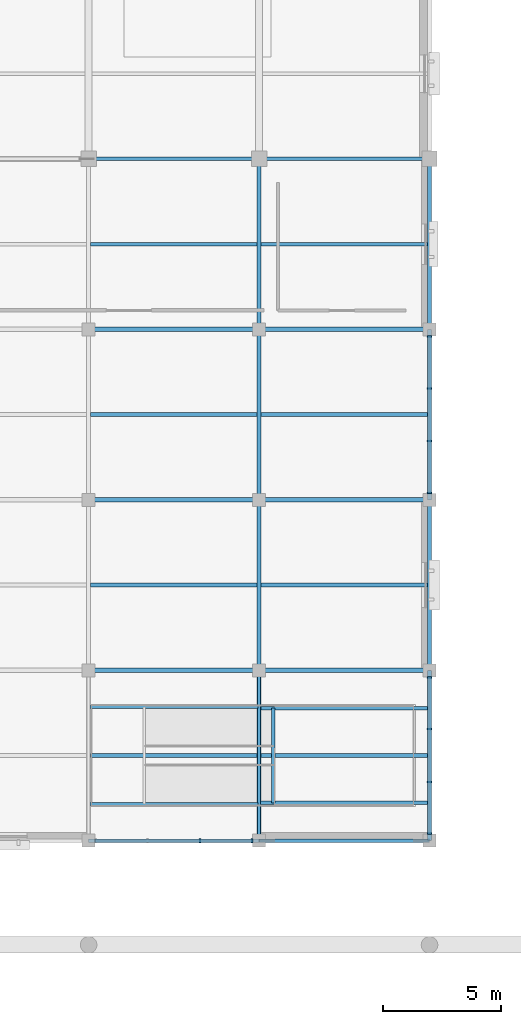
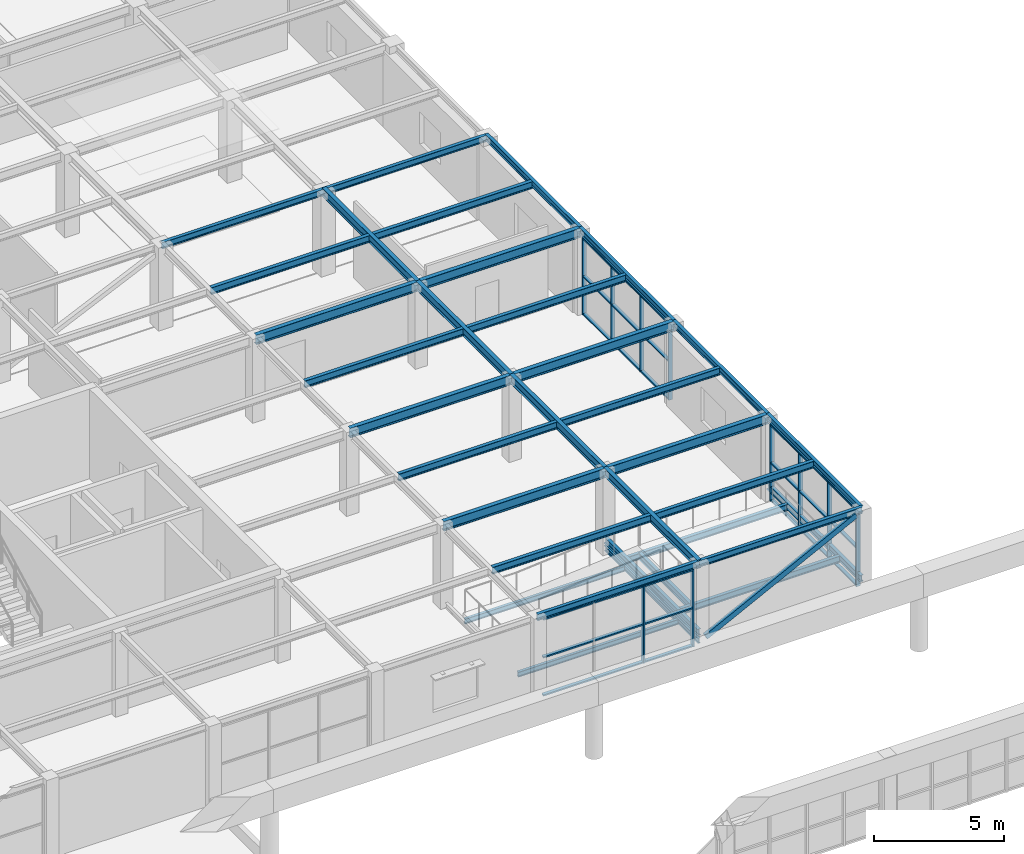
# One storey, part 23 of 83: 34 beams, 20 members, 3 elements without a shape of their own.
"""IFC4 building model written with IfcOpenShell, lengths in metres."""

import ifcopenshell
import ifcopenshell.guid

model = None  # the IFC model being written
_history = None  # IfcOwnerHistory: only IFC2X3 demands one
_inside = {}  # id of a spatial element -> (the spatial element, [elements in it])
_under = {}  # id of a project, library or spatial element -> (it, [spatial elements below it])
_declared = {}  # id of a project -> (the project, [libraries it declares])
_typed = {}  # id of a type object -> (the type object, [elements of that type])
_made_of = {}  # id of a material, layer set ... -> (it, [elements and type objects made of it])


def new_model(schema):
    """Start an empty IFC model of exactly this schema.

    Asked for "IFC4X3", IfcOpenShell would pick the latest addendum, in which some entities
    have other attributes; the version numbers below select the first issue.
    IFC2X3 requires an IfcOwnerHistory on every rooted entity: one is made here for all.
    """
    global model, _history
    if schema == "IFC4X3":
        model = ifcopenshell.file(schema_version=(4, 3, 0, 0))
    else:
        model = ifcopenshell.file(schema=schema)
    _inside.clear()
    _under.clear()
    _declared.clear()
    _typed.clear()
    _made_of.clear()
    _history = None
    if model.schema == "IFC2X3":
        org = make("IfcOrganization", Name="unknown")
        user = make(
            "IfcPersonAndOrganization",
            ThePerson=make("IfcPerson", FamilyName="unknown"),
            TheOrganization=org,
        )
        app = make(
            "IfcApplication",
            ApplicationDeveloper=org,
            Version="unknown",
            ApplicationFullName="unknown",
            ApplicationIdentifier="unknown",
        )
        _history = make(
            "IfcOwnerHistory",
            OwningUser=user,
            OwningApplication=app,
            ChangeAction="ADDED",
            CreationDate=0,
        )
    return model


def make(cls, **values):
    """One entity of the class cls with the attributes given. An attribute that is None is left unset."""
    return model.create_entity(
        cls, **{name: value for name, value in values.items() if value is not None}
    )


def rooted(cls, **values):
    """An entity with a GlobalId (a new one), such as an element, a storey or a relation."""
    return make(cls, GlobalId=ifcopenshell.guid.new(), OwnerHistory=_history, **values)


def si_unit(unit_type, name, prefix=None):
    """IfcSIUnit, for example si_unit("LENGTHUNIT", "METRE", prefix="MILLI")."""
    return make("IfcSIUnit", UnitType=unit_type, Prefix=prefix, Name=name)


def assignment(units):
    """IfcUnitAssignment: the units of a project."""
    return None if units is None else make("IfcUnitAssignment", Units=units)


def point(xyz):
    """IfcCartesianPoint."""
    return None if xyz is None else make("IfcCartesianPoint", Coordinates=xyz)


def direction(xyz):
    """IfcDirection."""
    return None if xyz is None else make("IfcDirection", DirectionRatios=xyz)


def frame(location, z_axis=None, x_axis=None):
    """IfcAxis2Placement3D, a coordinate frame: its origin and axes. An axis left out is left unset."""
    return make(
        "IfcAxis2Placement3D",
        Location=point(location),
        Axis=direction(z_axis),
        RefDirection=direction(x_axis),
    )


def frame_2d(location, x_axis=None):
    """IfcAxis2Placement2D, a coordinate frame in the plane: its origin and x axis."""
    return make(
        "IfcAxis2Placement2D", Location=point(location), RefDirection=direction(x_axis)
    )


def origin():
    """The frame at (0, 0, 0) with its axes left unset."""
    return frame((0.0, 0.0, 0.0))


def origin_2d():
    """The frame at (0, 0) in the plane with its x axis left unset."""
    return frame_2d((0.0, 0.0))


def place(relative_to, where):
    """IfcLocalPlacement: puts the frame where relative to a parent placement (None: the world)."""
    return make(
        "IfcLocalPlacement", PlacementRelTo=relative_to, RelativePlacement=where
    )


def context(
    kind, dimensions, precision=None, world=None, true_north=None, identifier=None
):
    """IfcGeometricRepresentationContext, for example the 3D "Model" context."""
    return make(
        "IfcGeometricRepresentationContext",
        ContextIdentifier=identifier,
        ContextType=kind,
        CoordinateSpaceDimension=dimensions,
        Precision=precision,
        WorldCoordinateSystem=world,
        TrueNorth=true_north,
    )


def subcontext(parent, identifier, kind, view, scale=None):
    """IfcGeometricRepresentationSubContext, for example "Body" below "Model"."""
    return make(
        "IfcGeometricRepresentationSubContext",
        ContextIdentifier=identifier,
        ContextType=kind,
        ParentContext=parent,
        TargetScale=scale,
        TargetView=view,
    )


def project(units=None, contexts=None):
    """IfcProject with its units and contexts."""
    return rooted(
        "IfcProject",
        Name="project",
        RepresentationContexts=contexts,
        UnitsInContext=assignment(units),
    )


def spatial(cls, under=None, at=None, **own):
    """A site, building, storey or space (cls), placed at a placement, below another one or the project."""
    s = rooted(cls, ObjectPlacement=at, **own)
    if under is not None:
        _under.setdefault(under.id(), (under, []))[1].append(s)
    return s


def profile(cls, at=None, kind="AREA", **sizes):
    """A parametric profile (cls). Its sizes go by their IFC names, for example OverallWidth=200.0."""
    return make(cls, ProfileType=kind, Position=at, **sizes)


def rectangle(**sizes):
    """IfcRectangleProfileDef."""
    return profile("IfcRectangleProfileDef", **sizes)


def hollow_rectangle(**sizes):
    """IfcRectangleHollowProfileDef."""
    return profile("IfcRectangleHollowProfileDef", **sizes)


def i_section(**sizes):
    """IfcIShapeProfileDef."""
    return profile("IfcIShapeProfileDef", **sizes)


def extrude(swept, where, along, depth):
    """IfcExtrudedAreaSolid: the profile swept, set in the frame where, extruded along a direction by depth."""
    return make(
        "IfcExtrudedAreaSolid",
        SweptArea=swept,
        Position=where,
        ExtrudedDirection=direction(along),
        Depth=depth,
    )


def shape(context_of_items, identifier, shape_type, items):
    """IfcShapeRepresentation: the items that make up one representation, for example the "Body"."""
    return make(
        "IfcShapeRepresentation",
        ContextOfItems=context_of_items,
        RepresentationIdentifier=identifier,
        RepresentationType=shape_type,
        Items=items,
    )


def material(Name=None, Category=None):
    """IfcMaterial."""
    return make("IfcMaterial", Name=Name, Category=Category)


def material_profile(
    of_material, cross_section, Name=None, Category=None, Priority=None
):
    """IfcMaterialProfile: a cross section and its material."""
    return make(
        "IfcMaterialProfile",
        Name=Name,
        Material=of_material,
        Profile=cross_section,
        Priority=Priority,
        Category=Category,
    )


def profile_set(profiles, Name=None, composite=None):
    """IfcMaterialProfileSet."""
    return make(
        "IfcMaterialProfileSet",
        Name=Name,
        MaterialProfiles=profiles,
        CompositeProfile=composite,
    )


def made_of(thing, what):
    """Note that an element or type object is made of a material, layer set ...; save() writes the relation."""
    if what is not None:
        _made_of.setdefault(what.id(), (what, []))[1].append(thing)
    return thing


def type_object(cls, material=None, **own):
    """A type object (cls), such as IfcWallType, which elements share."""
    return made_of(rooted(cls, **own), material)


def element(
    cls,
    number,
    at=None,
    inside=None,
    cuts=None,
    type_object=None,
    material=None,
    context=None,
    identifier="Body",
    shape_type=None,
    held_by="IfcProductDefinitionShape",
    body=None,
    shapes=None,
    **own,
):
    """One element of the class cls, such as IfcWall. Its Tag is "e" and its number.

    at: its placement. inside: the storey or other place that contains it. cuts: it is an
    opening in that element (IfcRelVoidsElement). A single representation is given by context,
    identifier, shape_type and body (its items); several are given by shapes. held_by: the class
    of the entity that holds the representations. save() writes the other relations.
    """
    e = rooted(cls, Tag="e%d" % number, ObjectPlacement=at, **own)
    if body is not None:
        shapes = [shape(context, identifier, shape_type, body)]
    if shapes is not None:
        e.Representation = make(held_by, Representations=shapes)
    if inside is not None:
        _inside.setdefault(inside.id(), (inside, []))[1].append(e)
    if cuts is not None:
        rooted(
            "IfcRelVoidsElement", RelatingBuildingElement=cuts, RelatedOpeningElement=e
        )
    if type_object is not None:
        _typed.setdefault(type_object.id(), (type_object, []))[1].append(e)
    return made_of(e, material)


def aggregate(whole, parts):
    """IfcRelAggregates: a whole, such as a stair, and the parts it consists of."""
    return rooted("IfcRelAggregates", RelatingObject=whole, RelatedObjects=parts)


def save(model, path):
    """Write the relations noted so far, then the file.

    IfcRelAggregates (storeys below a building ...), IfcRelContainedInSpatialStructure (elements
    in a storey), IfcRelDefinesByType, IfcRelAssociatesMaterial and IfcRelDeclares: one each for
    every whole, place, type object, material and project.
    """
    for whole, parts in _under.values():
        aggregate(whole, parts)
    for where, things in _inside.values():
        rooted(
            "IfcRelContainedInSpatialStructure",
            RelatedElements=things,
            RelatingStructure=where,
        )
    for kind, things in _typed.values():
        rooted("IfcRelDefinesByType", RelatedObjects=things, RelatingType=kind)
    for what, things in _made_of.values():
        rooted("IfcRelAssociatesMaterial", RelatedObjects=things, RelatingMaterial=what)
    for by, libraries in _declared.values():
        rooted("IfcRelDeclares", RelatingContext=by, RelatedDefinitions=libraries)
    model.write(path)


model = new_model("IFC4")

# Units and contexts
model_context = context("Model", 3, precision=1e-05, world=origin(), true_north=direction((0.0, 1.0)))
body_context = subcontext(model_context, "Body", "Model", "MODEL_VIEW")
ifc_project = project(units=[si_unit("LENGTHUNIT", "METRE"), si_unit("AREAUNIT", "SQUARE_METRE"), si_unit("VOLUMEUNIT", "CUBIC_METRE"), si_unit("PLANEANGLEUNIT", "RADIAN"), si_unit("MASSUNIT", "GRAM", prefix="KILO")], contexts=[model_context])

# Site, building, storey
site_placement = place(None, origin())
site = spatial("IfcSite", under=ifc_project, at=site_placement, CompositionType="ELEMENT")
building_placement = place(site_placement, origin())
building = spatial("IfcBuilding", under=site, at=building_placement, Name="Leyfeld Transit Interchange", CompositionType="ELEMENT")
storey_placement = place(building_placement, frame((0.0, 0.0, 5.39990234375)))
storey = spatial("IfcBuildingStorey", under=building, at=storey_placement, Name="L01", CompositionType="ELEMENT", Elevation=5.39990234375)

# Beams
ifc_material_1 = material(Name="Steel S355J2", Category="steel")
ifc_material_profile_1 = material_profile(ifc_material_1, i_section(OverallWidth=0.1201171875, OverallDepth=0.239990234375, WebThickness=0.006103515625, FlangeThickness=0.009765625, FilletRadius=0.014892578125, at=origin_2d()), Name="IPE 240")
ifc_profile_set_1 = profile_set([ifc_material_profile_1], Name="Steel S355J2")
beam_type_1 = type_object("IfcBeamType", Name="BM-STL-IPE240", PredefinedType="LINTEL", material=ifc_profile_set_1)
beam_1_placement = place(storey_placement, frame((36.0, 64.800048828125, 0.130126953125), z_axis=(0.0, 1.0, 0.0), x_axis=(-1.0, 0.0, 0.0)))
element("IfcBeam", 1, at=beam_1_placement, inside=storey, type_object=beam_type_1, Name="Cycle Ramp L01 East Bearer", PredefinedType="LINTEL", context=body_context, shape_type="SweptSolid", body=[
    extrude(i_section(OverallWidth=0.1201171875, OverallDepth=0.239990234375, WebThickness=0.006103515625, FlangeThickness=0.009765625, FilletRadius=0.014892578125, at=origin_2d()), origin(), (0.0, 0.0, 1.0), 7.199951171875),
])
for number, where, z_axis, x_axis, name in (
    (2, (28.85009765625, 66.35009765625, 0.130126953125), (1.0, 0.0, 0.0), (0.0, 1.0, 0.0), "Cycle Ramp L01 South Joist"),
    (3, (28.85009765625, 70.449951171875, 0.130126953125), (1.0, 0.0, 0.0), (0.0, 1.0, 0.0), "Cycle Ramp L01 North Joist"),
):
    element("IfcBeam", number, at=place(storey_placement, frame(where, z_axis=z_axis, x_axis=x_axis)), inside=storey, type_object=beam_type_1, Name=name, PredefinedType="LINTEL", context=body_context, shape_type="SweptSolid", body=[
        extrude(i_section(OverallWidth=0.1201171875, OverallDepth=0.239990234375, WebThickness=0.006103515625, FlangeThickness=0.009765625, FilletRadius=0.014892578125, at=origin_2d()), origin(), (0.0, 0.0, 1.0), 7.099853515625),
    ])
ifc_material_profile_2 = material_profile(ifc_material_1, i_section(OverallWidth=0.14990234375, OverallDepth=0.300048828125, WebThickness=0.007080078125, FlangeThickness=0.0107421875, FilletRadius=0.014892578125, at=origin_2d()), Name="IPE 300")
ifc_profile_set_2 = profile_set([ifc_material_profile_2], Name="Steel S355J2")
beam_type_2 = type_object("IfcBeamType", Name="BM-STL-IPE300", PredefinedType="SPANDREL", material=ifc_profile_set_2)
for number, where, z_axis, x_axis, name in (
    (4, (43.199951171875, 64.800048828125, 3.77001953125), (0.0, 1.0, 0.0), (-1.0, 0.0, 0.0), "Beam BM-L01-0432_0648-0432_0720"),
    (5, (43.199951171875, 72.0, 3.77001953125), (0.0, 1.0, 0.0), (-1.0, 0.0, 0.0), "Beam BM-L01-0432_0720-0432_0792"),
    (6, (43.199951171875, 79.199951171875, 3.77001953125), (0.0, 1.0, 0.0), (-1.0, 0.0, 0.0), "Beam BM-L01-0432_0792-0432_0864"),
):
    element("IfcBeam", number, at=place(storey_placement, frame(where, z_axis=z_axis, x_axis=x_axis)), inside=storey, type_object=beam_type_2, Name=name, PredefinedType="SPANDREL", context=body_context, shape_type="SweptSolid", body=[
        extrude(i_section(OverallWidth=0.14990234375, OverallDepth=0.300048828125, WebThickness=0.007080078125, FlangeThickness=0.0107421875, FilletRadius=0.014892578125, at=origin_2d()), origin(), (0.0, 0.0, 1.0), 7.199951171875),
    ])
beam_2_placement = place(storey_placement, frame((43.199951171875, 86.39990234375, 3.77001953125), z_axis=(0.0, 1.0, 0.0), x_axis=(-1.0, 0.0, 0.0)))
element("IfcBeam", 7, at=beam_2_placement, inside=storey, type_object=beam_type_2, Name="Beam BM-L01-0432_0864-0432_0936", PredefinedType="SPANDREL", context=body_context, shape_type="SweptSolid", body=[
    extrude(i_section(OverallWidth=0.14990234375, OverallDepth=0.300048828125, WebThickness=0.007080078125, FlangeThickness=0.0107421875, FilletRadius=0.014892578125, at=origin_2d()), origin(), (0.0, 0.0, 1.0), 7.2001953125),
])
for number, where, z_axis, x_axis, name in (
    (8, (28.800048828125, 64.800048828125, 3.77001953125), (1.0, 0.0, 0.0), (0.0, 1.0, 0.0), "Beam BM-L01-0288_0648-0360_0648"),
    (9, (36.0, 64.800048828125, 3.77001953125), (1.0, 0.0, 0.0), (0.0, 1.0, 0.0), "Beam BM-L01-0360_0648-0432_0648"),
    (10, (28.800048828125, 93.60009765625, 3.72998046875), (1.0, 0.0, 0.0), (0.0, 1.0, 0.0), "Beam BM-L01-0288_0936-0360_0936"),
    (11, (36.0, 93.60009765625, 3.72998046875), (1.0, 0.0, 0.0), (0.0, 1.0, 0.0), "Beam BM-L01-0360_0936-0432_0936"),
    (12, (36.0, 64.800048828125, 0.530029296875), (0.0, 1.0, 0.0), (-1.0, 0.0, 0.0), "Cycle Platform West Girder"),
    (13, (43.199951171875, 64.800048828125, 0.530029296875), (0.0, 1.0, 0.0), (-1.0, 0.0, 0.0), "Cycle Platform East Girder"),
):
    element("IfcBeam", number, at=place(storey_placement, frame(where, z_axis=z_axis, x_axis=x_axis)), inside=storey, type_object=beam_type_2, Name=name, PredefinedType="SPANDREL", context=body_context, shape_type="SweptSolid", body=[
        extrude(i_section(OverallWidth=0.14990234375, OverallDepth=0.300048828125, WebThickness=0.007080078125, FlangeThickness=0.0107421875, FilletRadius=0.014892578125, at=origin_2d()), origin(), (0.0, 0.0, 1.0), 7.199951171875),
    ])
for number, where, z_axis, x_axis, name in (
    (14, (36.070068359375, 66.39990234375, 0.530029296875), (1.0, 0.0, 0.0), (0.0, 1.0, 0.0), "Cycle Platform South Beam"),
    (15, (36.070068359375, 70.39990234375, 0.530029296875), (1.0, 0.0, 0.0), (0.0, 1.0, 0.0), "Cycle Platform North Beam"),
):
    element("IfcBeam", number, at=place(storey_placement, frame(where, z_axis=z_axis, x_axis=x_axis)), inside=storey, type_object=beam_type_2, Name=name, PredefinedType="SPANDREL", context=body_context, shape_type="SweptSolid", body=[
        extrude(i_section(OverallWidth=0.14990234375, OverallDepth=0.300048828125, WebThickness=0.007080078125, FlangeThickness=0.0107421875, FilletRadius=0.014892578125, at=origin_2d()), origin(), (0.0, 0.0, 1.0), 7.059814453125),
    ])
beam_3_placement = place(storey_placement, frame((36.60009765625, 66.39990234375, 0.530029296875), z_axis=(0.0, 1.0, 0.0), x_axis=(-1.0, 0.0, 0.0)))
element("IfcBeam", 16, at=beam_3_placement, inside=storey, type_object=beam_type_2, Name="Cycle Platform Arrival Beam", PredefinedType="SPANDREL", context=body_context, shape_type="SweptSolid", body=[
    extrude(i_section(OverallWidth=0.14990234375, OverallDepth=0.300048828125, WebThickness=0.007080078125, FlangeThickness=0.0107421875, FilletRadius=0.014892578125, at=origin_2d()), origin(), (0.0, 0.0, 1.0), 4.0),
])
ifc_material_profile_3 = material_profile(ifc_material_1, i_section(OverallWidth=0.159912109375, OverallDepth=0.330078125, WebThickness=0.007568359375, FlangeThickness=0.011474609375, FilletRadius=0.01806640625, at=origin_2d()), Name="IPE 330")
ifc_profile_set_3 = profile_set([ifc_material_profile_3], Name="Steel S355J2")
beam_type_3 = type_object("IfcBeamType", Name="BM-STL-IPE330", PredefinedType="BEAM", material=ifc_profile_set_3)
beam_4_placement = place(storey_placement, frame((28.886962890625, 68.39990234375, 3.755126953125), z_axis=(1.0, 0.0, 0.0), x_axis=(0.0, 1.0, 0.0)))
element("IfcBeam", 17, at=beam_4_placement, inside=storey, type_object=beam_type_3, Name="Beam BM-L01-0289_0684-0359_0684", PredefinedType="BEAM", context=body_context, shape_type="SweptSolid", body=[
    extrude(i_section(OverallWidth=0.159912109375, OverallDepth=0.330078125, WebThickness=0.007568359375, FlangeThickness=0.011474609375, FilletRadius=0.01806640625, at=origin_2d()), origin(), (0.0, 0.0, 1.0), 7.026123046875),
])
beam_5_placement = place(storey_placement, frame((36.0869140625, 68.39990234375, 3.755126953125), z_axis=(1.0, 0.0, 0.0), x_axis=(0.0, 1.0, 0.0)))
element("IfcBeam", 18, at=beam_5_placement, inside=storey, type_object=beam_type_3, Name="Beam BM-L01-0361_0684-0431_0684", PredefinedType="BEAM", context=body_context, shape_type="SweptSolid", body=[
    extrude(i_section(OverallWidth=0.159912109375, OverallDepth=0.330078125, WebThickness=0.007568359375, FlangeThickness=0.011474609375, FilletRadius=0.01806640625, at=origin_2d()), origin(), (0.0, 0.0, 1.0), 7.041015625),
])
beam_6_placement = place(storey_placement, frame((28.886962890625, 75.60009765625, 3.755126953125), z_axis=(1.0, 0.0, 0.0), x_axis=(0.0, 1.0, 0.0)))
element("IfcBeam", 19, at=beam_6_placement, inside=storey, type_object=beam_type_3, Name="Beam BM-L01-0289_0756-0359_0756", PredefinedType="BEAM", context=body_context, shape_type="SweptSolid", body=[
    extrude(i_section(OverallWidth=0.159912109375, OverallDepth=0.330078125, WebThickness=0.007568359375, FlangeThickness=0.011474609375, FilletRadius=0.01806640625, at=origin_2d()), origin(), (0.0, 0.0, 1.0), 7.026123046875),
])
beam_7_placement = place(storey_placement, frame((36.0869140625, 75.60009765625, 3.755126953125), z_axis=(1.0, 0.0, 0.0), x_axis=(0.0, 1.0, 0.0)))
element("IfcBeam", 20, at=beam_7_placement, inside=storey, type_object=beam_type_3, Name="Beam BM-L01-0361_0756-0431_0756", PredefinedType="BEAM", context=body_context, shape_type="SweptSolid", body=[
    extrude(i_section(OverallWidth=0.159912109375, OverallDepth=0.330078125, WebThickness=0.007568359375, FlangeThickness=0.011474609375, FilletRadius=0.01806640625, at=origin_2d()), origin(), (0.0, 0.0, 1.0), 7.041015625),
])
beam_8_placement = place(storey_placement, frame((28.886962890625, 82.800048828125, 3.755126953125), z_axis=(1.0, 0.0, 0.0), x_axis=(0.0, 1.0, 0.0)))
element("IfcBeam", 21, at=beam_8_placement, inside=storey, type_object=beam_type_3, Name="Beam BM-L01-0289_0828-0359_0828", PredefinedType="BEAM", context=body_context, shape_type="SweptSolid", body=[
    extrude(i_section(OverallWidth=0.159912109375, OverallDepth=0.330078125, WebThickness=0.007568359375, FlangeThickness=0.011474609375, FilletRadius=0.01806640625, at=origin_2d()), origin(), (0.0, 0.0, 1.0), 7.026123046875),
])
beam_9_placement = place(storey_placement, frame((36.0869140625, 82.800048828125, 3.755126953125), z_axis=(1.0, 0.0, 0.0), x_axis=(0.0, 1.0, 0.0)))
element("IfcBeam", 22, at=beam_9_placement, inside=storey, type_object=beam_type_3, Name="Beam BM-L01-0361_0828-0431_0828", PredefinedType="BEAM", context=body_context, shape_type="SweptSolid", body=[
    extrude(i_section(OverallWidth=0.159912109375, OverallDepth=0.330078125, WebThickness=0.007568359375, FlangeThickness=0.011474609375, FilletRadius=0.01806640625, at=origin_2d()), origin(), (0.0, 0.0, 1.0), 7.041015625),
])
beam_10_placement = place(storey_placement, frame((28.886962890625, 90.0, 3.755126953125), z_axis=(1.0, 0.0, 0.0), x_axis=(0.0, 1.0, 0.0)))
element("IfcBeam", 23, at=beam_10_placement, inside=storey, type_object=beam_type_3, Name="Beam BM-L01-0289_0900-0359_0900", PredefinedType="BEAM", context=body_context, shape_type="SweptSolid", body=[
    extrude(i_section(OverallWidth=0.159912109375, OverallDepth=0.330078125, WebThickness=0.007568359375, FlangeThickness=0.011474609375, FilletRadius=0.01806640625, at=origin_2d()), origin(), (0.0, 0.0, 1.0), 7.026123046875),
])
beam_11_placement = place(storey_placement, frame((36.0869140625, 90.0, 3.755126953125), z_axis=(1.0, 0.0, 0.0), x_axis=(0.0, 1.0, 0.0)))
element("IfcBeam", 24, at=beam_11_placement, inside=storey, type_object=beam_type_3, Name="Beam BM-L01-0361_0900-0431_0900", PredefinedType="BEAM", context=body_context, shape_type="SweptSolid", body=[
    extrude(i_section(OverallWidth=0.159912109375, OverallDepth=0.330078125, WebThickness=0.007568359375, FlangeThickness=0.011474609375, FilletRadius=0.01806640625, at=origin_2d()), origin(), (0.0, 0.0, 1.0), 7.041015625),
])
ifc_material_profile_4 = material_profile(ifc_material_1, i_section(OverallWidth=0.179931640625, OverallDepth=0.39990234375, WebThickness=0.008544921875, FlangeThickness=0.013427734375, FilletRadius=0.02099609375, at=origin_2d()), Name="IPE 400")
ifc_profile_set_4 = profile_set([ifc_material_profile_4], Name="Steel S355J2")
beam_type_4 = type_object("IfcBeamType", Name="BM-STL-IPE400", PredefinedType="BEAM", material=ifc_profile_set_4)
for number, where, z_axis, x_axis, name in (
    (25, (36.0, 64.800048828125, 3.72021484375), (0.0, 1.0, 0.0), (-1.0, 0.0, 0.0), "Beam BM-L01-0360_0648-0360_0720"),
    (26, (36.0, 72.0, 3.72021484375), (0.0, 1.0, 0.0), (-1.0, 0.0, 0.0), "Beam BM-L01-0360_0720-0360_0792"),
    (27, (36.0, 79.199951171875, 3.72021484375), (0.0, 1.0, 0.0), (-1.0, 0.0, 0.0), "Beam BM-L01-0360_0792-0360_0864"),
):
    element("IfcBeam", number, at=place(storey_placement, frame(where, z_axis=z_axis, x_axis=x_axis)), inside=storey, type_object=beam_type_4, Name=name, PredefinedType="BEAM", context=body_context, shape_type="SweptSolid", body=[
        extrude(i_section(OverallWidth=0.179931640625, OverallDepth=0.39990234375, WebThickness=0.008544921875, FlangeThickness=0.013427734375, FilletRadius=0.02099609375, at=origin_2d()), origin(), (0.0, 0.0, 1.0), 7.199951171875),
    ])
beam_12_placement = place(storey_placement, frame((36.0, 86.39990234375, 3.72021484375), z_axis=(0.0, 1.0, 0.0), x_axis=(-1.0, 0.0, 0.0)))
element("IfcBeam", 28, at=beam_12_placement, inside=storey, type_object=beam_type_4, Name="Beam BM-L01-0360_0864-0360_0936", PredefinedType="BEAM", context=body_context, shape_type="SweptSolid", body=[
    extrude(i_section(OverallWidth=0.179931640625, OverallDepth=0.39990234375, WebThickness=0.008544921875, FlangeThickness=0.013427734375, FilletRadius=0.02099609375, at=origin_2d()), origin(), (0.0, 0.0, 1.0), 7.2001953125),
])
ifc_material_profile_5 = material_profile(ifc_material_1, i_section(OverallWidth=0.18994140625, OverallDepth=0.449951171875, WebThickness=0.009521484375, FlangeThickness=0.0146484375, FilletRadius=0.02099609375, at=origin_2d()), Name="IPE 450")
ifc_profile_set_5 = profile_set([ifc_material_profile_5], Name="Steel S355J2")
beam_type_5 = type_object("IfcBeamType", Name="BM-STL-IPE450", PredefinedType="BEAM", material=ifc_profile_set_5)
for number, where, z_axis, x_axis, name in (
    (29, (28.800048828125, 72.0, 3.695068359375), (1.0, 0.0, 0.0), (0.0, 1.0, 0.0), "Beam BM-L01-0288_0720-0360_0720"),
    (30, (36.0, 72.0, 3.695068359375), (1.0, 0.0, 0.0), (0.0, 1.0, 0.0), "Beam BM-L01-0360_0720-0432_0720"),
    (31, (28.800048828125, 79.199951171875, 3.695068359375), (1.0, 0.0, 0.0), (0.0, 1.0, 0.0), "Beam BM-L01-0288_0792-0360_0792"),
    (32, (36.0, 79.199951171875, 3.695068359375), (1.0, 0.0, 0.0), (0.0, 1.0, 0.0), "Beam BM-L01-0360_0792-0432_0792"),
    (33, (28.800048828125, 86.39990234375, 3.695068359375), (1.0, 0.0, 0.0), (0.0, 1.0, 0.0), "Beam BM-L01-0288_0864-0360_0864"),
    (34, (36.0, 86.39990234375, 3.695068359375), (1.0, 0.0, 0.0), (0.0, 1.0, 0.0), "Beam BM-L01-0360_0864-0432_0864"),
):
    element("IfcBeam", number, at=place(storey_placement, frame(where, z_axis=z_axis, x_axis=x_axis)), inside=storey, type_object=beam_type_5, Name=name, PredefinedType="BEAM", context=body_context, shape_type="SweptSolid", body=[
        extrude(i_section(OverallWidth=0.18994140625, OverallDepth=0.449951171875, WebThickness=0.009521484375, FlangeThickness=0.0146484375, FilletRadius=0.02099609375, at=origin_2d()), origin(), (0.0, 0.0, 1.0), 7.199951171875),
    ])

# Curtain wall, members
ifc_material_2 = material(Name="Anodised aluminium EN AW-6060 T66", Category="aluminium")
curtain_wall_type = type_object("IfcCurtainWallType", Name="CW-SYS-CYC-7200", PredefinedType="NOTDEFINED", material=ifc_material_2)
curtain_wall_1_placement = place(storey_placement, origin())
curtain_wall_1 = element("IfcCurtainWall", 35, at=curtain_wall_1_placement, inside=storey, type_object=curtain_wall_type, Name="Curtain Wall CW-L01-066", PredefinedType="NOTDEFINED")
ifc_material_profile_6 = material_profile(ifc_material_2, rectangle(XDim=0.06494140625, YDim=0.179931640625, at=origin_2d()), Name="CW-M 65x180")
ifc_profile_set_6 = profile_set([ifc_material_profile_6], Name="Anodised aluminium EN AW-6060 T66")
member_type_1 = type_object("IfcMemberType", Name="CW-MUL-150x65", PredefinedType="MULLION", material=ifc_profile_set_6)
member_1_placement = place(storey_placement, frame((43.199951171875, 86.1025390625, 0.0), z_axis=(0.0, 0.0, 1.0), x_axis=(0.0, -1.0, 0.0)))
member_1 = element("IfcMember", 36, at=member_1_placement, type_object=member_type_1, Name="Curtain Mullion CW-L01-066-M01", PredefinedType="MULLION", context=body_context, shape_type="SweptSolid", body=[
    extrude(rectangle(XDim=0.06494140625, YDim=0.179931640625, at=origin_2d()), origin(), (0.0, 0.0, 1.0), 3.590087890625),
])
member_2_placement = place(storey_placement, frame((43.199951171875, 83.91162109375, 0.0), z_axis=(0.0, 0.0, 1.0), x_axis=(0.0, -1.0, 0.0)))
member_2 = element("IfcMember", 37, at=member_2_placement, type_object=member_type_1, Name="Curtain Mullion CW-L01-066-M02", PredefinedType="MULLION", context=body_context, shape_type="SweptSolid", body=[
    extrude(rectangle(XDim=0.06494140625, YDim=0.179931640625, at=origin_2d()), origin(), (0.0, 0.0, 1.0), 3.590087890625),
])
member_3_placement = place(storey_placement, frame((43.199951171875, 81.688232421875, 0.0), z_axis=(0.0, 0.0, 1.0), x_axis=(0.0, -1.0, 0.0)))
member_3 = element("IfcMember", 38, at=member_3_placement, type_object=member_type_1, Name="Curtain Mullion CW-L01-066-M03", PredefinedType="MULLION", context=body_context, shape_type="SweptSolid", body=[
    extrude(rectangle(XDim=0.06494140625, YDim=0.179931640625, at=origin_2d()), origin(), (0.0, 0.0, 1.0), 3.590087890625),
])
member_4_placement = place(storey_placement, frame((43.199951171875, 79.49755859375, 0.0), z_axis=(0.0, 0.0, 1.0), x_axis=(0.0, -1.0, 0.0)))
member_4 = element("IfcMember", 39, at=member_4_placement, type_object=member_type_1, Name="Curtain Mullion CW-L01-066-M04", PredefinedType="MULLION", context=body_context, shape_type="SweptSolid", body=[
    extrude(rectangle(XDim=0.06494140625, YDim=0.179931640625, at=origin_2d()), origin(), (0.0, 0.0, 1.0), 3.590087890625),
])

curtain_wall_2_placement = place(storey_placement, origin())
curtain_wall_2 = element("IfcCurtainWall", 40, at=curtain_wall_2_placement, inside=storey, type_object=curtain_wall_type, Name="Curtain Wall CW-L01-067", PredefinedType="NOTDEFINED")
member_5_placement = place(storey_placement, frame((43.199951171875, 71.702392578125, 0.0), z_axis=(0.0, 0.0, 1.0), x_axis=(0.0, -1.0, 0.0)))
member_5 = element("IfcMember", 41, at=member_5_placement, type_object=member_type_1, Name="Curtain Mullion CW-L01-067-M01", PredefinedType="MULLION", context=body_context, shape_type="SweptSolid", body=[
    extrude(rectangle(XDim=0.06494140625, YDim=0.179931640625, at=origin_2d()), origin(), (0.0, 0.0, 1.0), 3.590087890625),
])
member_6_placement = place(storey_placement, frame((43.199951171875, 69.51171875, 0.0), z_axis=(0.0, 0.0, 1.0), x_axis=(0.0, -1.0, 0.0)))
member_6 = element("IfcMember", 42, at=member_6_placement, type_object=member_type_1, Name="Curtain Mullion CW-L01-067-M02", PredefinedType="MULLION", context=body_context, shape_type="SweptSolid", body=[
    extrude(rectangle(XDim=0.06494140625, YDim=0.179931640625, at=origin_2d()), origin(), (0.0, 0.0, 1.0), 3.590087890625),
])
member_7_placement = place(storey_placement, frame((43.199951171875, 67.288330078125, 0.0), z_axis=(0.0, 0.0, 1.0), x_axis=(0.0, -1.0, 0.0)))
member_7 = element("IfcMember", 43, at=member_7_placement, type_object=member_type_1, Name="Curtain Mullion CW-L01-067-M03", PredefinedType="MULLION", context=body_context, shape_type="SweptSolid", body=[
    extrude(rectangle(XDim=0.06494140625, YDim=0.179931640625, at=origin_2d()), origin(), (0.0, 0.0, 1.0), 3.590087890625),
])
member_8_placement = place(storey_placement, frame((43.199951171875, 65.097412109375, 0.0), z_axis=(0.0, 0.0, 1.0), x_axis=(0.0, -1.0, 0.0)))
member_8 = element("IfcMember", 44, at=member_8_placement, type_object=member_type_1, Name="Curtain Mullion CW-L01-067-M04", PredefinedType="MULLION", context=body_context, shape_type="SweptSolid", body=[
    extrude(rectangle(XDim=0.06494140625, YDim=0.179931640625, at=origin_2d()), origin(), (0.0, 0.0, 1.0), 3.590087890625),
])

curtain_wall_3_placement = place(storey_placement, origin())
curtain_wall_3 = element("IfcCurtainWall", 45, at=curtain_wall_3_placement, inside=storey, type_object=curtain_wall_type, Name="Curtain Wall CW-L01-068", PredefinedType="NOTDEFINED")
member_9_placement = place(storey_placement, frame((35.702392578125, 64.800048828125, 0.0), z_axis=(0.0, 0.0, 1.0), x_axis=(-1.0, 0.0, 0.0)))
member_9 = element("IfcMember", 46, at=member_9_placement, type_object=member_type_1, Name="Curtain Mullion CW-L01-068-M01", PredefinedType="MULLION", context=body_context, shape_type="SweptSolid", body=[
    extrude(rectangle(XDim=0.06494140625, YDim=0.179931640625, at=origin_2d()), origin(), (0.0, 0.0, 1.0), 3.6201171875),
])
member_10_placement = place(storey_placement, frame((33.51171875, 64.800048828125, 0.0), z_axis=(0.0, 0.0, 1.0), x_axis=(-1.0, 0.0, 0.0)))
member_10 = element("IfcMember", 47, at=member_10_placement, type_object=member_type_1, Name="Curtain Mullion CW-L01-068-M02", PredefinedType="MULLION", context=body_context, shape_type="SweptSolid", body=[
    extrude(rectangle(XDim=0.06494140625, YDim=0.179931640625, at=origin_2d()), origin(), (0.0, 0.0, 1.0), 3.6201171875),
])

# Member
ifc_material_profile_7 = material_profile(ifc_material_2, rectangle(XDim=0.14990234375, YDim=0.06494140625, at=origin_2d()), Name="CW-TRN-135x65")
ifc_profile_set_7 = profile_set([ifc_material_profile_7], Name="Anodised aluminium EN AW-6060 T66")
member_type_2 = type_object("IfcMemberType", Name="CW-TRN-135x65", PredefinedType="USERDEFINED", material=ifc_profile_set_7)
member_11_placement = place(storey_placement, frame((43.199951171875, 86.135009765625, 0.03271484375), z_axis=(0.0, -1.0, 0.0), x_axis=(1.0, 0.0, 0.0)))
member_11 = element("IfcMember", 48, at=member_11_placement, type_object=member_type_2, Name="Curtain Transom CW-L01-066-T01", ObjectType="TRANSOM", PredefinedType="USERDEFINED", context=body_context, shape_type="SweptSolid", body=[
    extrude(rectangle(XDim=0.14990234375, YDim=0.06494140625, at=origin_2d()), origin(), (0.0, 0.0, 1.0), 6.669921875),
])

member_12_placement = place(storey_placement, frame((43.199951171875, 86.135009765625, 1.795166015625), z_axis=(0.0, -1.0, 0.0), x_axis=(1.0, 0.0, 0.0)))
member_12 = element("IfcMember", 49, at=member_12_placement, type_object=member_type_2, Name="Curtain Transom CW-L01-066-T02", ObjectType="TRANSOM", PredefinedType="USERDEFINED", context=body_context, shape_type="SweptSolid", body=[
    extrude(rectangle(XDim=0.14990234375, YDim=0.06494140625, at=origin_2d()), origin(), (0.0, 0.0, 1.0), 6.669921875),
])

member_13_placement = place(storey_placement, frame((43.199951171875, 86.135009765625, 3.5576171875), z_axis=(0.0, -1.0, 0.0), x_axis=(1.0, 0.0, 0.0)))
member_13 = element("IfcMember", 50, at=member_13_placement, type_object=member_type_2, Name="Curtain Transom CW-L01-066-T03", ObjectType="TRANSOM", PredefinedType="USERDEFINED", context=body_context, shape_type="SweptSolid", body=[
    extrude(rectangle(XDim=0.14990234375, YDim=0.06494140625, at=origin_2d()), origin(), (0.0, 0.0, 1.0), 6.669921875),
])

aggregate(curtain_wall_1, [member_1, member_2, member_3, member_4, member_11, member_12, member_13])

member_14_placement = place(storey_placement, frame((43.199951171875, 71.735107421875, 0.03271484375), z_axis=(0.0, -1.0, 0.0), x_axis=(1.0, 0.0, 0.0)))
member_14 = element("IfcMember", 51, at=member_14_placement, type_object=member_type_2, Name="Curtain Transom CW-L01-067-T01", ObjectType="TRANSOM", PredefinedType="USERDEFINED", context=body_context, shape_type="SweptSolid", body=[
    extrude(rectangle(XDim=0.14990234375, YDim=0.06494140625, at=origin_2d()), origin(), (0.0, 0.0, 1.0), 6.670166015625),
])

member_15_placement = place(storey_placement, frame((43.199951171875, 71.735107421875, 1.795166015625), z_axis=(0.0, -1.0, 0.0), x_axis=(1.0, 0.0, 0.0)))
member_15 = element("IfcMember", 52, at=member_15_placement, type_object=member_type_2, Name="Curtain Transom CW-L01-067-T02", ObjectType="TRANSOM", PredefinedType="USERDEFINED", context=body_context, shape_type="SweptSolid", body=[
    extrude(rectangle(XDim=0.14990234375, YDim=0.06494140625, at=origin_2d()), origin(), (0.0, 0.0, 1.0), 6.670166015625),
])

member_16_placement = place(storey_placement, frame((43.199951171875, 71.735107421875, 3.5576171875), z_axis=(0.0, -1.0, 0.0), x_axis=(1.0, 0.0, 0.0)))
member_16 = element("IfcMember", 53, at=member_16_placement, type_object=member_type_2, Name="Curtain Transom CW-L01-067-T03", ObjectType="TRANSOM", PredefinedType="USERDEFINED", context=body_context, shape_type="SweptSolid", body=[
    extrude(rectangle(XDim=0.14990234375, YDim=0.06494140625, at=origin_2d()), origin(), (0.0, 0.0, 1.0), 6.670166015625),
])

aggregate(curtain_wall_2, [member_5, member_6, member_7, member_8, member_14, member_15, member_16])

member_17_placement = place(storey_placement, frame((35.735107421875, 64.800048828125, 0.03271484375), z_axis=(-1.0, 0.0, 0.0), x_axis=(0.0, -1.0, 0.0)))
member_17 = element("IfcMember", 54, at=member_17_placement, type_object=member_type_2, Name="Curtain Transom CW-L01-068-T01", ObjectType="TRANSOM", PredefinedType="USERDEFINED", context=body_context, shape_type="SweptSolid", body=[
    extrude(rectangle(XDim=0.14990234375, YDim=0.06494140625, at=origin_2d()), origin(), (0.0, 0.0, 1.0), 6.670166015625),
])

member_18_placement = place(storey_placement, frame((35.735107421875, 64.800048828125, 1.81005859375), z_axis=(-1.0, 0.0, 0.0), x_axis=(0.0, -1.0, 0.0)))
member_18 = element("IfcMember", 55, at=member_18_placement, type_object=member_type_2, Name="Curtain Transom CW-L01-068-T02", ObjectType="TRANSOM", PredefinedType="USERDEFINED", context=body_context, shape_type="SweptSolid", body=[
    extrude(rectangle(XDim=0.14990234375, YDim=0.06494140625, at=origin_2d()), origin(), (0.0, 0.0, 1.0), 6.670166015625),
])

member_19_placement = place(storey_placement, frame((35.735107421875, 64.800048828125, 3.587646484375), z_axis=(-1.0, 0.0, 0.0), x_axis=(0.0, -1.0, 0.0)))
member_19 = element("IfcMember", 56, at=member_19_placement, type_object=member_type_2, Name="Curtain Transom CW-L01-068-T03", ObjectType="TRANSOM", PredefinedType="USERDEFINED", context=body_context, shape_type="SweptSolid", body=[
    extrude(rectangle(XDim=0.14990234375, YDim=0.06494140625, at=origin_2d()), origin(), (0.0, 0.0, 1.0), 6.670166015625),
])

aggregate(curtain_wall_3, [member_9, member_10, member_17, member_18, member_19])

ifc_material_profile_8 = material_profile(ifc_material_1, hollow_rectangle(XDim=0.14990234375, YDim=0.25, WallThickness=0.010009765625, at=origin_2d()), Name="RHS 250x150x10")
ifc_profile_set_8 = profile_set([ifc_material_profile_8], Name="Steel S355J2")
member_type_3 = type_object("IfcMemberType", Name="MEM-BRC-RHS250", PredefinedType="BRACE", material=ifc_profile_set_8)
member_20_placement = place(storey_placement, frame((36.27001953125, 64.800048828125, 0.25), z_axis=(0.892264591126, 0.0, 0.451512900616), x_axis=(0.0, 1.0, 0.0)))
element("IfcMember", 57, at=member_20_placement, inside=storey, type_object=member_type_3, Name="Lateral Diagonal Brace 005", PredefinedType="BRACE", context=body_context, shape_type="SweptSolid", body=[
    extrude(hollow_rectangle(XDim=0.14990234375, YDim=0.25, WallThickness=0.010009765625, at=origin_2d()), origin(), (0.0, 0.0, 1.0), 7.464111328125),
])

save(model, "model.ifc")
